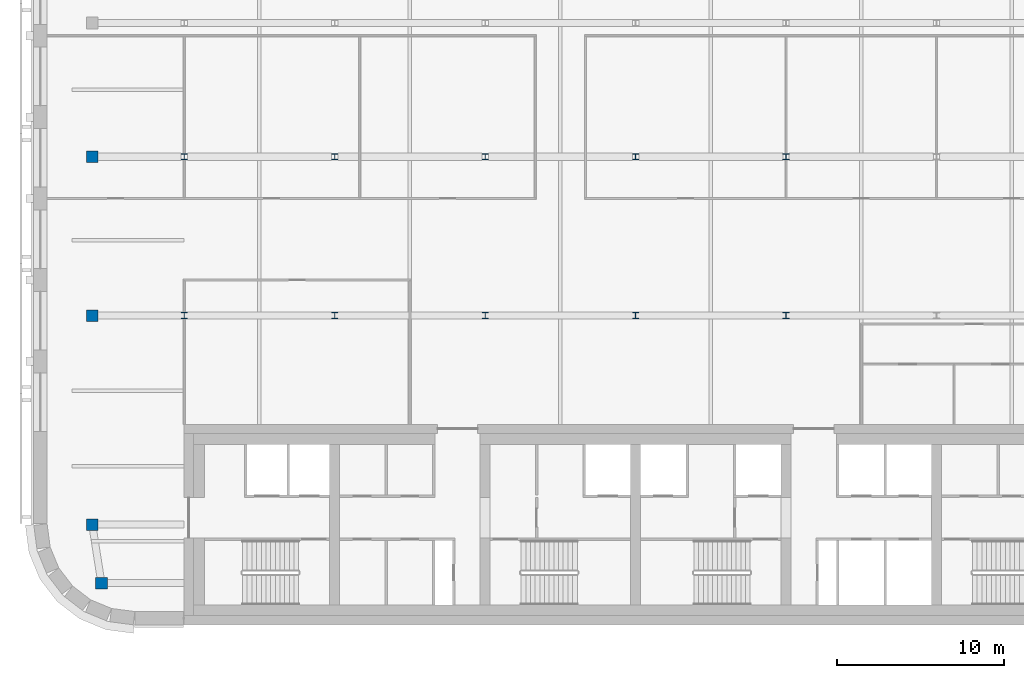
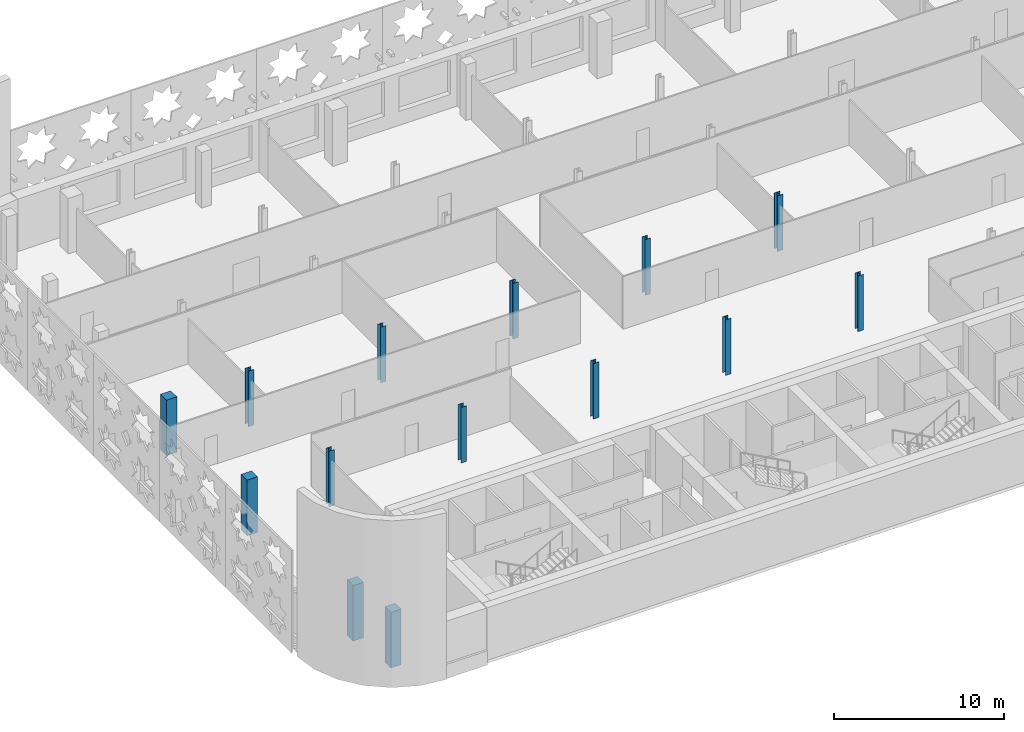
# One storey, part 1 of 16: 14 columns.
"""IFC4 building model written with IfcOpenShell, lengths in metres."""

import ifcopenshell
import ifcopenshell.guid

model = None  # the IFC model being written
_history = None  # IfcOwnerHistory: only IFC2X3 demands one
_inside = {}  # id of a spatial element -> (the spatial element, [elements in it])
_under = {}  # id of a project, library or spatial element -> (it, [spatial elements below it])
_declared = {}  # id of a project -> (the project, [libraries it declares])
_typed = {}  # id of a type object -> (the type object, [elements of that type])
_made_of = {}  # id of a material, layer set ... -> (it, [elements and type objects made of it])


def new_model(schema):
    """Start an empty IFC model of exactly this schema.

    Asked for "IFC4X3", IfcOpenShell would pick the latest addendum, in which some entities
    have other attributes; the version numbers below select the first issue.
    IFC2X3 requires an IfcOwnerHistory on every rooted entity: one is made here for all.
    """
    global model, _history
    if schema == "IFC4X3":
        model = ifcopenshell.file(schema_version=(4, 3, 0, 0))
    else:
        model = ifcopenshell.file(schema=schema)
    _inside.clear()
    _under.clear()
    _declared.clear()
    _typed.clear()
    _made_of.clear()
    _history = None
    if model.schema == "IFC2X3":
        org = make("IfcOrganization", Name="unknown")
        user = make(
            "IfcPersonAndOrganization",
            ThePerson=make("IfcPerson", FamilyName="unknown"),
            TheOrganization=org,
        )
        app = make(
            "IfcApplication",
            ApplicationDeveloper=org,
            Version="unknown",
            ApplicationFullName="unknown",
            ApplicationIdentifier="unknown",
        )
        _history = make(
            "IfcOwnerHistory",
            OwningUser=user,
            OwningApplication=app,
            ChangeAction="ADDED",
            CreationDate=0,
        )
    return model


def make(cls, **values):
    """One entity of the class cls with the attributes given. An attribute that is None is left unset."""
    return model.create_entity(
        cls, **{name: value for name, value in values.items() if value is not None}
    )


def rooted(cls, **values):
    """An entity with a GlobalId (a new one), such as an element, a storey or a relation."""
    return make(cls, GlobalId=ifcopenshell.guid.new(), OwnerHistory=_history, **values)


def si_unit(unit_type, name, prefix=None):
    """IfcSIUnit, for example si_unit("LENGTHUNIT", "METRE", prefix="MILLI")."""
    return make("IfcSIUnit", UnitType=unit_type, Prefix=prefix, Name=name)


def assignment(units):
    """IfcUnitAssignment: the units of a project."""
    return None if units is None else make("IfcUnitAssignment", Units=units)


def point(xyz):
    """IfcCartesianPoint."""
    return None if xyz is None else make("IfcCartesianPoint", Coordinates=xyz)


def direction(xyz):
    """IfcDirection."""
    return None if xyz is None else make("IfcDirection", DirectionRatios=xyz)


def frame(location, z_axis=None, x_axis=None):
    """IfcAxis2Placement3D, a coordinate frame: its origin and axes. An axis left out is left unset."""
    return make(
        "IfcAxis2Placement3D",
        Location=point(location),
        Axis=direction(z_axis),
        RefDirection=direction(x_axis),
    )


def frame_2d(location, x_axis=None):
    """IfcAxis2Placement2D, a coordinate frame in the plane: its origin and x axis."""
    return make(
        "IfcAxis2Placement2D", Location=point(location), RefDirection=direction(x_axis)
    )


def origin():
    """The frame at (0, 0, 0) with its axes left unset."""
    return frame((0.0, 0.0, 0.0))


def origin_2d():
    """The frame at (0, 0) in the plane with its x axis left unset."""
    return frame_2d((0.0, 0.0))


def place(relative_to, where):
    """IfcLocalPlacement: puts the frame where relative to a parent placement (None: the world)."""
    return make(
        "IfcLocalPlacement", PlacementRelTo=relative_to, RelativePlacement=where
    )


def context(
    kind, dimensions, precision=None, world=None, true_north=None, identifier=None
):
    """IfcGeometricRepresentationContext, for example the 3D "Model" context."""
    return make(
        "IfcGeometricRepresentationContext",
        ContextIdentifier=identifier,
        ContextType=kind,
        CoordinateSpaceDimension=dimensions,
        Precision=precision,
        WorldCoordinateSystem=world,
        TrueNorth=true_north,
    )


def subcontext(parent, identifier, kind, view, scale=None):
    """IfcGeometricRepresentationSubContext, for example "Body" below "Model"."""
    return make(
        "IfcGeometricRepresentationSubContext",
        ContextIdentifier=identifier,
        ContextType=kind,
        ParentContext=parent,
        TargetScale=scale,
        TargetView=view,
    )


def project(units=None, contexts=None):
    """IfcProject with its units and contexts."""
    return rooted(
        "IfcProject",
        Name="project",
        RepresentationContexts=contexts,
        UnitsInContext=assignment(units),
    )


def spatial(cls, under=None, at=None, **own):
    """A site, building, storey or space (cls), placed at a placement, below another one or the project."""
    s = rooted(cls, ObjectPlacement=at, **own)
    if under is not None:
        _under.setdefault(under.id(), (under, []))[1].append(s)
    return s


def profile(cls, at=None, kind="AREA", **sizes):
    """A parametric profile (cls). Its sizes go by their IFC names, for example OverallWidth=200.0."""
    return make(cls, ProfileType=kind, Position=at, **sizes)


def rectangle(**sizes):
    """IfcRectangleProfileDef."""
    return profile("IfcRectangleProfileDef", **sizes)


def i_section(**sizes):
    """IfcIShapeProfileDef."""
    return profile("IfcIShapeProfileDef", **sizes)


def extrude(swept, where, along, depth):
    """IfcExtrudedAreaSolid: the profile swept, set in the frame where, extruded along a direction by depth."""
    return make(
        "IfcExtrudedAreaSolid",
        SweptArea=swept,
        Position=where,
        ExtrudedDirection=direction(along),
        Depth=depth,
    )


def shape(context_of_items, identifier, shape_type, items):
    """IfcShapeRepresentation: the items that make up one representation, for example the "Body"."""
    return make(
        "IfcShapeRepresentation",
        ContextOfItems=context_of_items,
        RepresentationIdentifier=identifier,
        RepresentationType=shape_type,
        Items=items,
    )


def material(Name=None, Category=None):
    """IfcMaterial."""
    return make("IfcMaterial", Name=Name, Category=Category)


def material_profile(
    of_material, cross_section, Name=None, Category=None, Priority=None
):
    """IfcMaterialProfile: a cross section and its material."""
    return make(
        "IfcMaterialProfile",
        Name=Name,
        Material=of_material,
        Profile=cross_section,
        Priority=Priority,
        Category=Category,
    )


def profile_set(profiles, Name=None, composite=None):
    """IfcMaterialProfileSet."""
    return make(
        "IfcMaterialProfileSet",
        Name=Name,
        MaterialProfiles=profiles,
        CompositeProfile=composite,
    )


def made_of(thing, what):
    """Note that an element or type object is made of a material, layer set ...; save() writes the relation."""
    if what is not None:
        _made_of.setdefault(what.id(), (what, []))[1].append(thing)
    return thing


def type_object(cls, material=None, **own):
    """A type object (cls), such as IfcWallType, which elements share."""
    return made_of(rooted(cls, **own), material)


def element(
    cls,
    number,
    at=None,
    inside=None,
    cuts=None,
    type_object=None,
    material=None,
    context=None,
    identifier="Body",
    shape_type=None,
    held_by="IfcProductDefinitionShape",
    body=None,
    shapes=None,
    **own,
):
    """One element of the class cls, such as IfcWall. Its Tag is "e" and its number.

    at: its placement. inside: the storey or other place that contains it. cuts: it is an
    opening in that element (IfcRelVoidsElement). A single representation is given by context,
    identifier, shape_type and body (its items); several are given by shapes. held_by: the class
    of the entity that holds the representations. save() writes the other relations.
    """
    e = rooted(cls, Tag="e%d" % number, ObjectPlacement=at, **own)
    if body is not None:
        shapes = [shape(context, identifier, shape_type, body)]
    if shapes is not None:
        e.Representation = make(held_by, Representations=shapes)
    if inside is not None:
        _inside.setdefault(inside.id(), (inside, []))[1].append(e)
    if cuts is not None:
        rooted(
            "IfcRelVoidsElement", RelatingBuildingElement=cuts, RelatedOpeningElement=e
        )
    if type_object is not None:
        _typed.setdefault(type_object.id(), (type_object, []))[1].append(e)
    return made_of(e, material)


def aggregate(whole, parts):
    """IfcRelAggregates: a whole, such as a stair, and the parts it consists of."""
    return rooted("IfcRelAggregates", RelatingObject=whole, RelatedObjects=parts)


def save(model, path):
    """Write the relations noted so far, then the file.

    IfcRelAggregates (storeys below a building ...), IfcRelContainedInSpatialStructure (elements
    in a storey), IfcRelDefinesByType, IfcRelAssociatesMaterial and IfcRelDeclares: one each for
    every whole, place, type object, material and project.
    """
    for whole, parts in _under.values():
        aggregate(whole, parts)
    for where, things in _inside.values():
        rooted(
            "IfcRelContainedInSpatialStructure",
            RelatedElements=things,
            RelatingStructure=where,
        )
    for kind, things in _typed.values():
        rooted("IfcRelDefinesByType", RelatedObjects=things, RelatingType=kind)
    for what, things in _made_of.values():
        rooted("IfcRelAssociatesMaterial", RelatedObjects=things, RelatingMaterial=what)
    for by, libraries in _declared.values():
        rooted("IfcRelDeclares", RelatingContext=by, RelatedDefinitions=libraries)
    model.write(path)


model = new_model("IFC4")

# Units and contexts
model_context = context("Model", 3, precision=1e-05, world=origin(), true_north=direction((0.0, 1.0)))
body_context = subcontext(model_context, "Body", "Model", "MODEL_VIEW")
ifc_project = project(units=[si_unit("LENGTHUNIT", "METRE"), si_unit("AREAUNIT", "SQUARE_METRE"), si_unit("VOLUMEUNIT", "CUBIC_METRE"), si_unit("PLANEANGLEUNIT", "RADIAN"), si_unit("MASSUNIT", "GRAM", prefix="KILO")], contexts=[model_context])

# Site, building, storey
site_placement = place(None, origin())
site = spatial("IfcSite", under=ifc_project, at=site_placement, CompositionType="ELEMENT")
building_placement = place(site_placement, origin())
building = spatial("IfcBuilding", under=site, at=building_placement, Name="Zellij Exchange Tower", CompositionType="ELEMENT")
storey_placement = place(building_placement, frame((0.0, 0.0, 272.5)))
storey = spatial("IfcBuildingStorey", under=building, at=storey_placement, Name="L64", CompositionType="ELEMENT", Elevation=272.5)

# Columns
ifc_material_1 = material(Name="Concrete C50/60", Category="concrete")
ifc_material_profile_1 = material_profile(ifc_material_1, rectangle(XDim=0.699951171875, YDim=0.699951171875, at=origin_2d()), Name="STR-COLUMN RC700x700 C50/60")
ifc_profile_set_1 = profile_set([ifc_material_profile_1], Name="Concrete C50/60")
column_type_1 = type_object("IfcColumnType", Name="STR-COLUMN RC700x700 C50/60", PredefinedType="COLUMN", material=ifc_profile_set_1)
for number, where, z_axis, x_axis, name in (
    (1, (-31.949951171875, -11.5, 0.0), (0.0, 0.0, 1.0), (1.0, 0.0, 0.0), "C14"),
    (2, (-32.5, -8.0, 0.0), (0.0, 0.0, 1.0), (1.0, 0.0, 0.0), "C14"),
    (3, (-32.5, 4.5, 0.0), (0.0, 0.0, 1.0), (1.0, 0.0, 0.0), "C14"),
    (4, (-32.5, 14.0, 0.0), (0.0, 0.0, 1.0), (1.0, 0.0, 0.0), "C14"),
):
    element("IfcColumn", number, at=place(storey_placement, frame(where, z_axis=z_axis, x_axis=x_axis)), inside=storey, type_object=column_type_1, Name=name, PredefinedType="COLUMN", context=body_context, shape_type="SweptSolid", body=[
        extrude(rectangle(XDim=0.699951171875, YDim=0.699951171875, at=origin_2d()), origin(), (0.0, 0.0, 1.0), 4.0),
    ])
ifc_material_2 = material(Name="Structural steel ASTM A992 Gr 50", Category="steel")
ifc_material_profile_2 = material_profile(ifc_material_2, i_section(OverallWidth=0.373291015625, OverallDepth=0.373291015625, WebThickness=0.016357421875, FlangeThickness=0.026123046875, at=origin_2d()), Name="W14x132")
ifc_profile_set_2 = profile_set([ifc_material_profile_2], Name="Structural steel ASTM A992 Gr 50")
column_type_2 = type_object("IfcColumnType", Name="STR-COLUMN W14x132", PredefinedType="COLUMN", material=ifc_profile_set_2)
for number, where, z_axis, x_axis, name in (
    (5, (-27.0, 4.5, 0.0), (0.0, 0.0, 1.0), (1.0, 0.0, 0.0), "C1"),
    (6, (-18.0, 4.5, 0.0), (0.0, 0.0, 1.0), (1.0, 0.0, 0.0), "C1"),
    (7, (-9.0, 4.5, 0.0), (0.0, 0.0, 1.0), (1.0, 0.0, 0.0), "C1"),
    (8, (0.0, 4.5, 0.0), (0.0, 0.0, 1.0), (1.0, 0.0, 0.0), "C1"),
    (9, (9.0, 4.5, 0.0), (0.0, 0.0, 1.0), (1.0, 0.0, 0.0), "C1"),
    (10, (-27.0, 14.0, 0.0), (0.0, 0.0, 1.0), (1.0, 0.0, 0.0), "C1"),
    (11, (-18.0, 14.0, 0.0), (0.0, 0.0, 1.0), (1.0, 0.0, 0.0), "C1"),
    (12, (-9.0, 14.0, 0.0), (0.0, 0.0, 1.0), (1.0, 0.0, 0.0), "C1"),
    (13, (0.0, 14.0, 0.0), (0.0, 0.0, 1.0), (1.0, 0.0, 0.0), "C1"),
    (14, (9.0, 14.0, 0.0), (0.0, 0.0, 1.0), (1.0, 0.0, 0.0), "C1"),
):
    element("IfcColumn", number, at=place(storey_placement, frame(where, z_axis=z_axis, x_axis=x_axis)), inside=storey, type_object=column_type_2, Name=name, PredefinedType="COLUMN", context=body_context, shape_type="SweptSolid", body=[
        extrude(i_section(OverallWidth=0.373291015625, OverallDepth=0.373291015625, WebThickness=0.016357421875, FlangeThickness=0.026123046875, at=origin_2d()), origin(), (0.0, 0.0, 1.0), 4.0),
    ])

save(model, "model.ifc")
